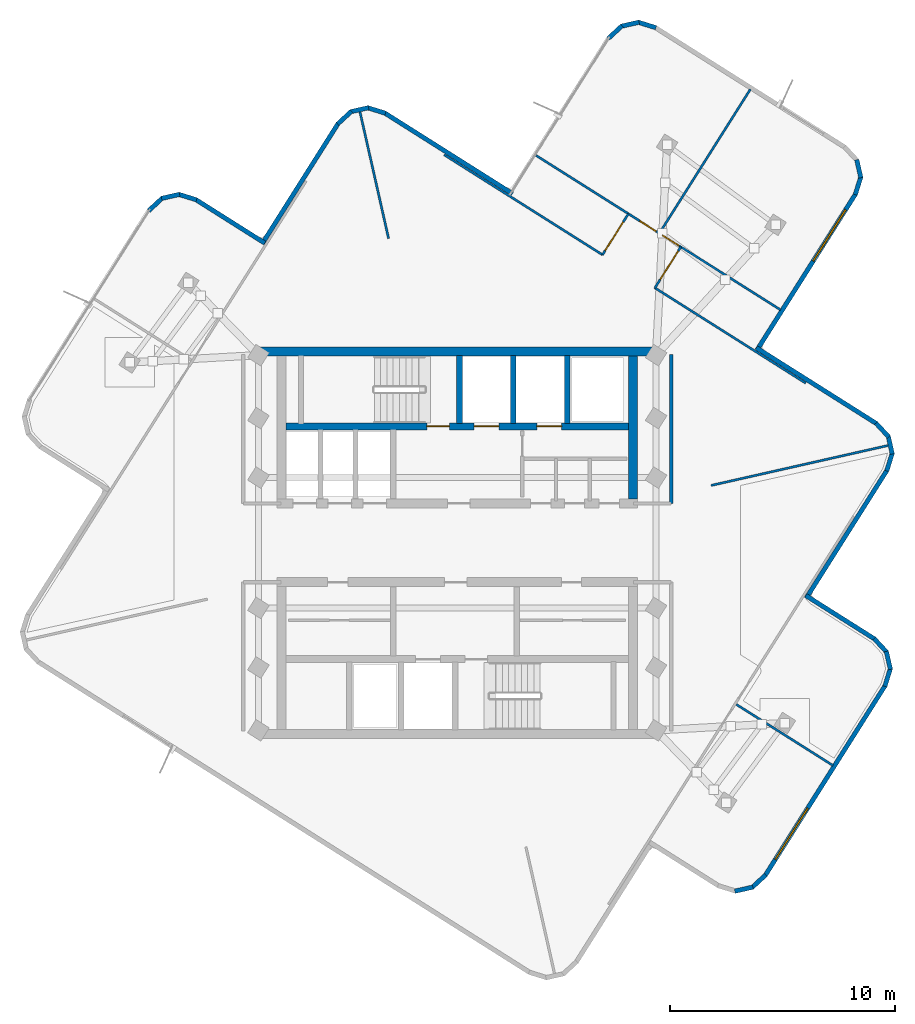
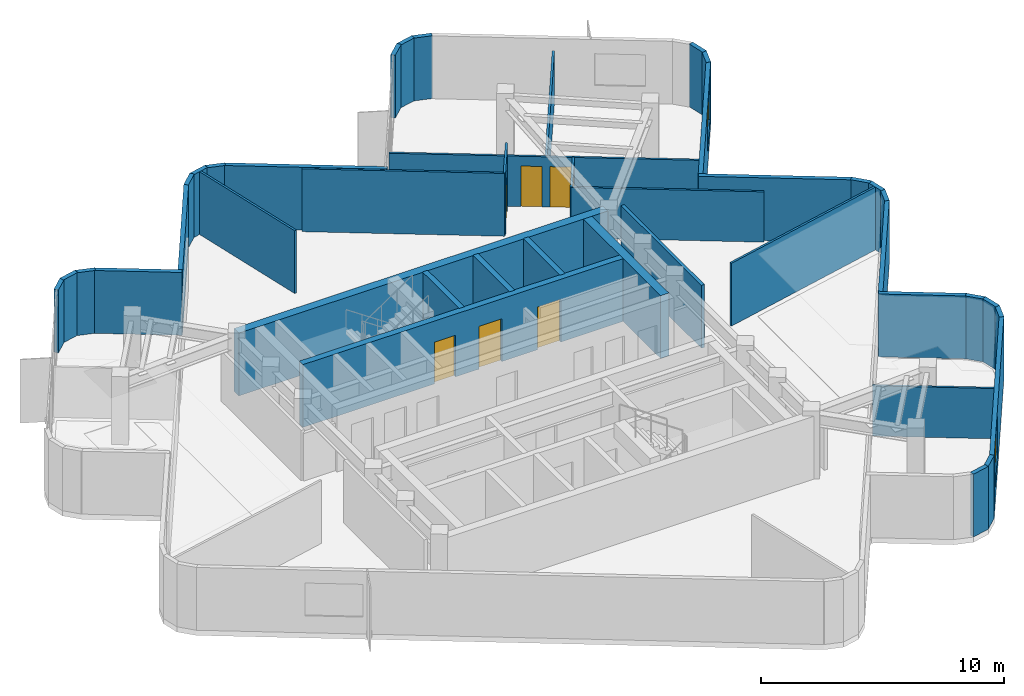
# One storey, part 7 of 10: 43 walls, 7 doors, 2 windows, 9 openings.
"""IFC4 building model written with IfcOpenShell, lengths in metres."""

from ifc_helpers import new_model, si_unit, direction, frame, frame_2d, origin, place, context, subcontext, project, spatial, rectangle, extrude, material, layer, layer_set, type_object, element, fill, save


model = new_model("IFC4")

# Units and contexts
model_context = context("Model", 3, precision=1e-05, world=origin(), true_north=direction((0.0, 1.0)))
body_context = subcontext(model_context, "Body", "Model", "MODEL_VIEW")
ifc_project = project(units=[si_unit("LENGTHUNIT", "METRE"), si_unit("AREAUNIT", "SQUARE_METRE"), si_unit("VOLUMEUNIT", "CUBIC_METRE"), si_unit("PLANEANGLEUNIT", "RADIAN"), si_unit("MASSUNIT", "GRAM", prefix="KILO")], contexts=[model_context])

# Site, building, storey
site_placement = place(None, origin())
site = spatial("IfcSite", under=ifc_project, at=site_placement, CompositionType="ELEMENT")
building_placement = place(site_placement, origin())
building = spatial("IfcBuilding", under=site, at=building_placement, Name="Solmarez Civic Tower", CompositionType="ELEMENT")
storey_placement = place(building_placement, frame((0.0, 0.0, 274.860107421875)))
storey = spatial("IfcBuildingStorey", under=building, at=storey_placement, Name="L74", CompositionType="ELEMENT", Elevation=274.860107421875)

# Walls
ifc_material_1 = material(Name="Concrete C50/60", Category="concrete")
ifc_layer_1 = layer(ifc_material_1, 0.39990234375)
ifc_layer_set_1 = layer_set([ifc_layer_1], Name="Concrete C50/60")
wall_type_1 = type_object("IfcWallType", Name="WALL-CORE-400", PredefinedType="SHEAR", material=ifc_layer_set_1)
wall_1_placement = place(storey_placement, frame((-8.780029296875, 8.510009765625, 0.0), z_axis=(0.0, 0.0, 1.0), x_axis=(1.0, 0.0, 0.0)))
element("IfcWall", 1, at=wall_1_placement, inside=storey, type_object=wall_type_1, Name="L74 Split-Core Structural Wall NCW-N-L74", PredefinedType="SHEAR", context=body_context, shape_type="SweptSolid", body=[
    extrude(rectangle(XDim=17.56005859375, YDim=0.39990234375, at=frame_2d((8.780029296875, 0.0))), origin(), (0.0, 0.0, 1.0), 3.159912109375),
])
wall_2_placement = place(storey_placement, frame((7.820068359375, 8.31005859375, 0.0), z_axis=(0.0, 0.0, 1.0), x_axis=(0.0, -1.0, 0.0)))
element("IfcWall", 2, at=wall_2_placement, inside=storey, type_object=wall_type_1, Name="L74 Split-Core Structural Wall NCW-E-L74", PredefinedType="SHEAR", context=body_context, shape_type="SweptSolid", body=[
    extrude(rectangle(XDim=6.360107421875, YDim=0.39990234375, at=frame_2d((3.18017578125, 0.0))), origin(), (0.0, 0.0, 1.0), 3.159912109375),
])
ifc_material_2 = material(Name="Precast concrete C40/50", Category="concrete")
ifc_layer_2 = layer(ifc_material_2, 0.199951171875)
ifc_layer_set_2 = layer_set([ifc_layer_2], Name="Precast concrete C40/50")
wall_type_2 = type_object("IfcWallType", Name="WALL-EXT-200", PredefinedType="SOLIDWALL", material=ifc_layer_set_2)
wall_3_placement = place(storey_placement, frame((-13.73388671875, 14.781982421875, 0.0), z_axis=(0.0, 0.0, 1.0), x_axis=(0.73396507435, 0.679187212508, 0.0)))
element("IfcWall", 3, at=wall_3_placement, inside=storey, type_object=wall_type_2, Name="L74 Exterior Precast Wall 18", PredefinedType="SOLIDWALL", context=body_context, shape_type="SweptSolid", body=[
    extrude(rectangle(XDim=0.837890625, YDim=0.199951171875, at=frame_2d((0.4189453125, 0.0))), origin(), (0.0, 0.0, 1.0), 3.159912109375),
])
wall_4_placement = place(storey_placement, frame((-13.160888671875, 15.327880859375, 0.0), z_axis=(0.0, 0.0, 1.0), x_axis=(0.975030953114, 0.222068999343, 0.0)))
element("IfcWall", 4, at=wall_4_placement, inside=storey, type_object=wall_type_2, Name="L74 Exterior Precast Wall 19", PredefinedType="SOLIDWALL", context=body_context, shape_type="SweptSolid", body=[
    extrude(rectangle(XDim=0.824462890625, YDim=0.199951171875, at=frame_2d((0.412109375, 0.0))), origin(), (0.0, 0.0, 1.0), 3.159912109375),
])
wall_5_placement = place(storey_placement, frame((-12.405029296875, 15.511962890625, 0.0), z_axis=(0.0, 0.0, 1.0), x_axis=(0.95514660916, -0.296133339917, 0.0)))
element("IfcWall", 5, at=wall_5_placement, inside=storey, type_object=wall_type_2, Name="L74 Exterior Precast Wall 20", PredefinedType="SOLIDWALL", context=body_context, shape_type="SweptSolid", body=[
    extrude(rectangle(XDim=0.837646484375, YDim=0.199951171875, at=frame_2d((0.4189453125, 0.0))), origin(), (0.0, 0.0, 1.0), 3.159912109375),
])
wall_6_placement = place(storey_placement, frame((-11.64990234375, 15.283935546875, 0.0), z_axis=(0.0, 0.0, 1.0), x_axis=(0.84553031048, -0.533927423962, 0.0)))
element("IfcWall", 6, at=wall_6_placement, inside=storey, type_object=wall_type_2, Name="L74 Exterior Precast Wall 21", PredefinedType="SOLIDWALL", context=body_context, shape_type="SweptSolid", body=[
    extrude(rectangle(XDim=3.642578125, YDim=0.199951171875, at=frame_2d((1.8212890625, 0.0))), origin(), (0.0, 0.0, 1.0), 3.159912109375),
])
wall_7_placement = place(storey_placement, frame((-8.680908203125, 13.31396484375, 0.0), z_axis=(0.0, 0.0, 1.0), x_axis=(0.533927810135, 0.845530066623, 0.0)))
element("IfcWall", 7, at=wall_7_placement, inside=storey, type_object=wall_type_2, Name="L74 Exterior Precast Wall 24", PredefinedType="SOLIDWALL", context=body_context, shape_type="SweptSolid", body=[
    extrude(rectangle(XDim=6.341552734375, YDim=0.199951171875, at=frame_2d((3.1708984375, 0.0))), origin(), (0.0, 0.0, 1.0), 3.159912109375),
])
wall_8_placement = place(storey_placement, frame((-5.325927734375, 18.637939453125, 0.0), z_axis=(0.0, 0.0, 1.0), x_axis=(0.734546260064, 0.678558613405, 0.0)))
element("IfcWall", 8, at=wall_8_placement, inside=storey, type_object=wall_type_2, Name="L74 Exterior Precast Wall 25", PredefinedType="SOLIDWALL", context=body_context, shape_type="SweptSolid", body=[
    extrude(rectangle(XDim=0.837158203125, YDim=0.199951171875, at=frame_2d((0.41845703125, 0.0))), origin(), (0.0, 0.0, 1.0), 3.159912109375),
])
wall_9_placement = place(storey_placement, frame((-4.7529296875, 19.18310546875, 0.0), z_axis=(0.0, 0.0, 1.0), x_axis=(0.975095027757, 0.22178748126, 0.0)))
element("IfcWall", 9, at=wall_9_placement, inside=storey, type_object=wall_type_2, Name="L74 Exterior Precast Wall 26", PredefinedType="SOLIDWALL", context=body_context, shape_type="SweptSolid", body=[
    extrude(rectangle(XDim=0.824462890625, YDim=0.199951171875, at=frame_2d((0.412109375, 0.0))), origin(), (0.0, 0.0, 1.0), 3.159912109375),
])
wall_10_placement = place(storey_placement, frame((-3.9970703125, 19.366943359375, 0.0), z_axis=(0.0, 0.0, 1.0), x_axis=(0.955248680357, -0.295803919306, 0.0)))
element("IfcWall", 10, at=wall_10_placement, inside=storey, type_object=wall_type_2, Name="L74 Exterior Precast Wall 27", PredefinedType="SOLIDWALL", context=body_context, shape_type="SweptSolid", body=[
    extrude(rectangle(XDim=0.838623046875, YDim=0.199951171875, at=frame_2d((0.41943359375, 0.0))), origin(), (0.0, 0.0, 1.0), 3.159912109375),
])
wall_11_placement = place(storey_placement, frame((-3.240966796875, 19.138916015625, 0.0), z_axis=(0.0, 0.0, 1.0), x_axis=(0.845431246435, -0.534084270085, 0.0)))
element("IfcWall", 11, at=wall_11_placement, inside=storey, type_object=wall_type_2, Name="L74 Exterior Precast Wall 28", PredefinedType="SOLIDWALL", context=body_context, shape_type="SweptSolid", body=[
    extrude(rectangle(XDim=6.741943359375, YDim=0.199951171875, at=frame_2d((3.37109375, 0.0))), origin(), (0.0, 0.0, 1.0), 3.159912109375),
])
wall_12_placement = place(storey_placement, frame((6.718017578125, 22.444091796875, 0.0), z_axis=(0.0, 0.0, 1.0), x_axis=(0.7346916161, 0.67840123027, 0.0)))
element("IfcWall", 12, at=wall_12_placement, inside=storey, type_object=wall_type_2, Name="L74 Exterior Precast Wall 32", PredefinedType="SOLIDWALL", context=body_context, shape_type="SweptSolid", body=[
    extrude(rectangle(XDim=0.837158203125, YDim=0.199951171875, at=frame_2d((0.41845703125, 0.0))), origin(), (0.0, 0.0, 1.0), 3.159912109375),
])
wall_13_placement = place(storey_placement, frame((7.291015625, 22.989013671875, 0.0), z_axis=(0.0, 0.0, 1.0), x_axis=(0.975030953114, 0.222068999343, 0.0)))
element("IfcWall", 13, at=wall_13_placement, inside=storey, type_object=wall_type_2, Name="L74 Exterior Precast Wall 33", PredefinedType="SOLIDWALL", context=body_context, shape_type="SweptSolid", body=[
    extrude(rectangle(XDim=0.824462890625, YDim=0.199951171875, at=frame_2d((0.412109375, 0.0))), origin(), (0.0, 0.0, 1.0), 3.159912109375),
])
wall_14_placement = place(storey_placement, frame((8.047119140625, 23.173095703125, 0.0), z_axis=(0.0, 0.0, 1.0), x_axis=(0.955223194498, -0.295886209027, 0.0)))
element("IfcWall", 14, at=wall_14_placement, inside=storey, type_object=wall_type_2, Name="L74 Exterior Precast Wall 34", PredefinedType="SOLIDWALL", context=body_context, shape_type="SweptSolid", body=[
    extrude(rectangle(XDim=0.83837890625, YDim=0.199951171875, at=frame_2d((0.419189453125, 0.0))), origin(), (0.0, 0.0, 1.0), 3.159912109375),
])
wall_15_placement = place(storey_placement, frame((17.785888671875, 17.050048828125, 0.0), z_axis=(0.0, 0.0, 1.0), x_axis=(0.21868713362, -0.975795028471, 0.0)))
element("IfcWall", 15, at=wall_15_placement, inside=storey, type_object=wall_type_2, Name="L74 Exterior Precast Wall 37", PredefinedType="SOLIDWALL", context=body_context, shape_type="SweptSolid", body=[
    extrude(rectangle(XDim=0.823974609375, YDim=0.199951171875, at=frame_2d((0.412109375, 0.0))), origin(), (0.0, 0.0, 1.0), 3.159912109375),
])
wall_16_placement = place(storey_placement, frame((17.968017578125, 16.2939453125, 0.0), z_axis=(0.0, 0.0, 1.0), x_axis=(-0.296133339917, -0.95514660916, 0.0)))
element("IfcWall", 16, at=wall_16_placement, inside=storey, type_object=wall_type_2, Name="L74 Exterior Precast Wall 38", PredefinedType="SOLIDWALL", context=body_context, shape_type="SweptSolid", body=[
    extrude(rectangle(XDim=0.837646484375, YDim=0.199951171875, at=frame_2d((0.4189453125, 0.0))), origin(), (0.0, 0.0, 1.0), 3.159912109375),
])

# Wall, opening, window
wall_17_placement = place(storey_placement, frame((17.739990234375, 15.5390625, 0.0), z_axis=(0.0, 0.0, 1.0), x_axis=(-0.533941726163, -0.845521278893, 0.0)))
wall_17 = element("IfcWall", 17, at=wall_17_placement, inside=storey, type_object=wall_type_2, Name="L74 Exterior Precast Wall 39", PredefinedType="SOLIDWALL", context=body_context, shape_type="SweptSolid", body=[
    extrude(rectangle(XDim=8.2421875, YDim=0.199951171875, at=frame_2d((4.12109375, 0.0))), origin(), (0.0, 0.0, 1.0), 3.159912109375),
])
opening_1_placement = place(wall_17_placement, frame((0.85009765625, 0.0, 0.85009765625)))
opening_1 = element("IfcOpeningElement", 18, at=opening_1_placement, cuts=wall_17, Name="Opening W-01", PredefinedType="OPENING", context=body_context, shape_type="SweptSolid", body=[
    extrude(rectangle(XDim=2.699951171875, YDim=2.10009765625, at=frame_2d((1.35009765625, 1.050048828125))), frame((0.0, 0.10986328125, 0.0), z_axis=(0.0, -1.0, 0.0), x_axis=(1.0, 0.0, 0.0)), (0.0, 0.0, 1.0), 0.219970703125),
])
ifc_material_3 = material(Name="Solar Control Bronze-Tinted Insulating Glass", Category="glass")
window_type = type_object("IfcWindowType", Name="WIN-2700X2100", PartitioningType="SINGLE_PANEL", PredefinedType="WINDOW", material=ifc_material_3)
window_1_placement = place(opening_1_placement, origin())
window_1 = element("IfcWindow", 19, at=window_1_placement, inside=storey, type_object=window_type, Name="L74 Exterior Facade Window 39", OverallHeight=2.10009765625, OverallWidth=2.699951171875, PartitioningType="SINGLE_PANEL", PredefinedType="WINDOW", context=body_context, shape_type="SweptSolid", body=[
    extrude(rectangle(XDim=2.699951171875, YDim=2.10009765625, at=frame_2d((1.35009765625, 1.050048828125))), frame((0.0, 0.030029296875, 0.0), z_axis=(0.0, -1.0, 0.0), x_axis=(1.0, 0.0, 0.0)), (0.0, 0.0, 1.0), 0.06005859375),
])
fill(opening_1, window_1)

# Walls
wall_18_placement = place(storey_placement, frame((13.31396484375, 8.680908203125, 0.0), z_axis=(0.0, 0.0, 1.0), x_axis=(0.845530066623, -0.533927810135, 0.0)))
element("IfcWall", 20, at=wall_18_placement, inside=storey, type_object=wall_type_2, Name="L74 Exterior Precast Wall 42", PredefinedType="SOLIDWALL", context=body_context, shape_type="SweptSolid", body=[
    extrude(rectangle(XDim=6.341552734375, YDim=0.199951171875, at=frame_2d((3.1708984375, 0.0))), origin(), (0.0, 0.0, 1.0), 3.159912109375),
])
wall_19_placement = place(storey_placement, frame((18.637939453125, 5.325927734375, 0.0), z_axis=(0.0, 0.0, 1.0), x_axis=(0.678558613405, -0.734546260064, 0.0)))
element("IfcWall", 21, at=wall_19_placement, inside=storey, type_object=wall_type_2, Name="L74 Exterior Precast Wall 43", PredefinedType="SOLIDWALL", context=body_context, shape_type="SweptSolid", body=[
    extrude(rectangle(XDim=0.837158203125, YDim=0.199951171875, at=frame_2d((0.41845703125, 0.0))), origin(), (0.0, 0.0, 1.0), 3.159912109375),
])
wall_20_placement = place(storey_placement, frame((19.18310546875, 4.7529296875, 0.0), z_axis=(0.0, 0.0, 1.0), x_axis=(0.22178748126, -0.975095027757, 0.0)))
element("IfcWall", 22, at=wall_20_placement, inside=storey, type_object=wall_type_2, Name="L74 Exterior Precast Wall 44", PredefinedType="SOLIDWALL", context=body_context, shape_type="SweptSolid", body=[
    extrude(rectangle(XDim=0.824462890625, YDim=0.199951171875, at=frame_2d((0.412109375, 0.0))), origin(), (0.0, 0.0, 1.0), 3.159912109375),
])
wall_21_placement = place(storey_placement, frame((19.366943359375, 3.9970703125, 0.0), z_axis=(0.0, 0.0, 1.0), x_axis=(-0.295803919306, -0.955248680357, 0.0)))
element("IfcWall", 23, at=wall_21_placement, inside=storey, type_object=wall_type_2, Name="L74 Exterior Precast Wall 45", PredefinedType="SOLIDWALL", context=body_context, shape_type="SweptSolid", body=[
    extrude(rectangle(XDim=0.838623046875, YDim=0.199951171875, at=frame_2d((0.41943359375, 0.0))), origin(), (0.0, 0.0, 1.0), 3.159912109375),
])
wall_22_placement = place(storey_placement, frame((19.138916015625, 3.240966796875, 0.0), z_axis=(0.0, 0.0, 1.0), x_axis=(-0.534084270085, -0.845431246435, 0.0)))
element("IfcWall", 24, at=wall_22_placement, inside=storey, type_object=wall_type_2, Name="L74 Exterior Precast Wall 46", PredefinedType="SOLIDWALL", context=body_context, shape_type="SweptSolid", body=[
    extrude(rectangle(XDim=6.741943359375, YDim=0.199951171875, at=frame_2d((3.37109375, 0.0))), origin(), (0.0, 0.0, 1.0), 3.159912109375),
])
wall_23_placement = place(storey_placement, frame((15.512939453125, -2.347900390625, 0.0), z_axis=(0.0, 0.0, 1.0), x_axis=(0.8454427056, -0.534066130313, 0.0)))
element("IfcWall", 25, at=wall_23_placement, inside=storey, type_object=wall_type_2, Name="L74 Exterior Precast Wall 49", PredefinedType="SOLIDWALL", context=body_context, shape_type="SweptSolid", body=[
    extrude(rectangle(XDim=3.64208984375, YDim=0.199951171875, at=frame_2d((1.821044921875, 0.0))), origin(), (0.0, 0.0, 1.0), 3.159912109375),
])
wall_24_placement = place(storey_placement, frame((18.553955078125, -4.261962890625, 0.0), z_axis=(0.0, 0.0, 1.0), x_axis=(0.679187212508, -0.73396507435, 0.0)))
element("IfcWall", 26, at=wall_24_placement, inside=storey, type_object=wall_type_2, Name="L74 Exterior Precast Wall 50", PredefinedType="SOLIDWALL", context=body_context, shape_type="SweptSolid", body=[
    extrude(rectangle(XDim=0.837890625, YDim=0.199951171875, at=frame_2d((0.4189453125, 0.0))), origin(), (0.0, 0.0, 1.0), 3.159912109375),
])
wall_25_placement = place(storey_placement, frame((19.10009765625, -4.8349609375, 0.0), z_axis=(0.0, 0.0, 1.0), x_axis=(0.222043922605, -0.975036664149, 0.0)))
element("IfcWall", 27, at=wall_25_placement, inside=storey, type_object=wall_type_2, Name="L74 Exterior Precast Wall 51", PredefinedType="SOLIDWALL", context=body_context, shape_type="SweptSolid", body=[
    extrude(rectangle(XDim=0.823486328125, YDim=0.199951171875, at=frame_2d((0.41162109375, 0.0))), origin(), (0.0, 0.0, 1.0), 3.159912109375),
])
wall_26_placement = place(storey_placement, frame((19.283935546875, -5.590087890625, 0.0), z_axis=(0.0, 0.0, 1.0), x_axis=(-0.295803919306, -0.955248680357, 0.0)))
element("IfcWall", 28, at=wall_26_placement, inside=storey, type_object=wall_type_2, Name="L74 Exterior Precast Wall 52", PredefinedType="SOLIDWALL", context=body_context, shape_type="SweptSolid", body=[
    extrude(rectangle(XDim=0.838623046875, YDim=0.199951171875, at=frame_2d((0.41943359375, 0.0))), origin(), (0.0, 0.0, 1.0), 3.159912109375),
])

# Wall, opening, window
wall_27_placement = place(storey_placement, frame((19.055908203125, -6.345947265625, 0.0), z_axis=(0.0, 0.0, 1.0), x_axis=(-0.534060804588, -0.845446069837, 0.0)))
wall_27 = element("IfcWall", 29, at=wall_27_placement, inside=storey, type_object=wall_type_2, Name="L74 Exterior Precast Wall 53", PredefinedType="SOLIDWALL", context=body_context, shape_type="SweptSolid", body=[
    extrude(rectangle(XDim=10.023193359375, YDim=0.199951171875, at=frame_2d((5.01171875, 0.0))), origin(), (0.0, 0.0, 1.0), 3.159912109375),
])
opening_2_placement = place(wall_27_placement, frame((6.468017578125, 0.0, 0.85009765625)))
opening_2 = element("IfcOpeningElement", 30, at=opening_2_placement, cuts=wall_27, Name="Opening W-01", PredefinedType="OPENING", context=body_context, shape_type="SweptSolid", body=[
    extrude(rectangle(XDim=2.699951171875, YDim=2.10009765625, at=frame_2d((1.35009765625, 1.050048828125))), frame((0.0, 0.10986328125, 0.0), z_axis=(0.0, -1.0, 0.0), x_axis=(1.0, 0.0, 0.0)), (0.0, 0.0, 1.0), 0.219970703125),
])
window_2_placement = place(opening_2_placement, origin())
window_2 = element("IfcWindow", 31, at=window_2_placement, inside=storey, type_object=window_type, Name="L74 Exterior Facade Window 53", OverallHeight=2.10009765625, OverallWidth=2.699951171875, PartitioningType="SINGLE_PANEL", PredefinedType="WINDOW", context=body_context, shape_type="SweptSolid", body=[
    extrude(rectangle(XDim=2.699951171875, YDim=2.10009765625, at=frame_2d((1.35009765625, 1.050048828125))), frame((0.0, 0.030029296875, 0.0), z_axis=(0.0, -1.0, 0.0), x_axis=(1.0, 0.0, 0.0)), (0.0, 0.0, 1.0), 0.06005859375),
])
fill(opening_2, window_2)

# Walls
wall_28_placement = place(storey_placement, frame((13.73388671875, -14.781982421875, 0.0), z_axis=(0.0, 0.0, 1.0), x_axis=(-0.73396507435, -0.679187212508, 0.0)))
element("IfcWall", 32, at=wall_28_placement, inside=storey, type_object=wall_type_2, Name="L74 Exterior Precast Wall 54", PredefinedType="SOLIDWALL", context=body_context, shape_type="SweptSolid", body=[
    extrude(rectangle(XDim=0.837890625, YDim=0.199951171875, at=frame_2d((0.4189453125, 0.0))), origin(), (0.0, 0.0, 1.0), 3.159912109375),
])
wall_29_placement = place(storey_placement, frame((13.160888671875, -15.327880859375, 0.0), z_axis=(0.0, 0.0, 1.0), x_axis=(-0.975030953114, -0.222068999343, 0.0)))
element("IfcWall", 33, at=wall_29_placement, inside=storey, type_object=wall_type_2, Name="L74 Exterior Precast Wall 55", PredefinedType="SOLIDWALL", context=body_context, shape_type="SweptSolid", body=[
    extrude(rectangle(XDim=0.824462890625, YDim=0.199951171875, at=frame_2d((0.412109375, 0.0))), origin(), (0.0, 0.0, 1.0), 3.159912109375),
])
ifc_material_4 = material(Name="Gypsum Board Acoustic Steel-Stud Partition", Category="steel")
ifc_layer_3 = layer(ifc_material_4, 0.14990234375)
ifc_layer_set_3 = layer_set([ifc_layer_3], Name="Gypsum Board Acoustic Steel-Stud Partition")
wall_type_3 = type_object("IfcWallType", Name="WALL-INT-FIRE-150", PredefinedType="PARTITIONING", material=ifc_layer_set_3)
wall_30_placement = place(storey_placement, frame((9.52001953125, 1.75, 0.0), z_axis=(0.0, 0.0, 1.0), x_axis=(0.0, 1.0, 0.0)))
element("IfcWall", 34, at=wall_30_placement, inside=storey, type_object=wall_type_3, Name="L74 Interior Partition CHW-L74-EN1", PredefinedType="PARTITIONING", context=body_context, shape_type="SweptSolid", body=[
    extrude(rectangle(XDim=6.6298828125, YDim=0.14990234375, at=frame_2d((3.31494140625, 0.0))), origin(), (0.0, 0.0, 1.0), 3.159912109375),
])
ifc_layer_4 = layer(ifc_material_4, 0.10009765625)
ifc_layer_set_4 = layer_set([ifc_layer_4], Name="Gypsum Board Acoustic Steel-Stud Partition")
wall_type_4 = type_object("IfcWallType", Name="WALL-INT-PART-100", PredefinedType="PARTITIONING", material=ifc_layer_set_4)
wall_31_placement = place(storey_placement, frame((-3.055908203125, 13.5400390625, 0.0), z_axis=(0.0, 0.0, 1.0), x_axis=(-0.22033949405, 0.975423245244, 0.0)))
element("IfcWall", 35, at=wall_31_placement, inside=storey, type_object=wall_type_4, Name="L74 Interior Partition PT-L74-QDIV-1", PredefinedType="PARTITIONING", context=body_context, shape_type="SweptSolid", body=[
    extrude(rectangle(XDim=5.813720703125, YDim=0.10009765625, at=frame_2d((2.90673828125, 0.0))), origin(), (0.0, 0.0, 1.0), 3.159912109375),
])
wall_32_placement = place(storey_placement, frame((11.300048828125, 2.551025390625, 0.0), z_axis=(0.0, 0.0, 1.0), x_axis=(0.975452684537, 0.220209128395, 0.0)))
element("IfcWall", 36, at=wall_32_placement, inside=storey, type_object=wall_type_4, Name="L74 Interior Partition PT-L74-QDIV-4", PredefinedType="PARTITIONING", context=body_context, shape_type="SweptSolid", body=[
    extrude(rectangle(XDim=8.10986328125, YDim=0.10009765625, at=frame_2d((4.054931640625, 0.0))), origin(), (0.0, 0.0, 1.0), 3.159912109375),
])
wall_33_placement = place(storey_placement, frame((6.472900390625, 12.81298828125, 0.0), z_axis=(0.0, 0.0, 1.0), x_axis=(-0.845447210208, 0.534058999317, 0.0)))
element("IfcWall", 37, at=wall_33_placement, inside=storey, type_object=wall_type_4, Name="L74 Interior Partition PT-L74-E-EFL", PredefinedType="PARTITIONING", context=body_context, shape_type="SweptSolid", body=[
    extrude(rectangle(XDim=8.34912109375, YDim=0.10009765625, at=frame_2d((4.174560546875, 0.0))), origin(), (0.0, 0.0, 1.0), 3.159912109375),
])
wall_34_placement = place(storey_placement, frame((15.511962890625, 7.10400390625, 0.0), z_axis=(0.0, 0.0, 1.0), x_axis=(-0.845450958208, 0.534053065963, 0.0)))
element("IfcWall", 38, at=wall_34_placement, inside=storey, type_object=wall_type_4, Name="L74 Interior Partition PT-L74-E-EFR", PredefinedType="PARTITIONING", context=body_context, shape_type="SweptSolid", body=[
    extrude(rectangle(XDim=7.95068359375, YDim=0.10009765625, at=frame_2d((3.975341796875, 0.0))), origin(), (0.0, 0.0, 1.0), 2.52978515625),
])

# Wall, opening, door
wall_35_placement = place(storey_placement, frame((7.618896484375, 14.64501953125, 0.0), z_axis=(0.0, 0.0, 1.0), x_axis=(-0.533984489243, -0.845494272747, 0.0)))
wall_35 = element("IfcWall", 39, at=wall_35_placement, inside=storey, type_object=wall_type_4, Name="L74 Interior Partition PT-L74-E-SL", PredefinedType="PARTITIONING", context=body_context, shape_type="SweptSolid", body=[
    extrude(rectangle(XDim=2.16064453125, YDim=0.10009765625, at=frame_2d((1.080322265625, 0.0))), origin(), (0.0, 0.0, 1.0), 3.159912109375),
])
opening_3_placement = place(wall_35_placement, frame((0.44091796875, 0.0, 0.0)))
opening_3 = element("IfcOpeningElement", 40, at=opening_3_placement, cuts=wall_35, Name="Opening D-16", PredefinedType="OPENING", context=body_context, shape_type="SweptSolid", body=[
    extrude(rectangle(XDim=1.5, YDim=2.1201171875, at=frame_2d((0.75, 1.06005859375))), frame((0.0, 0.06005859375, 0.0), z_axis=(0.0, -1.0, 0.0), x_axis=(1.0, 0.0, 0.0)), (0.0, 0.0, 1.0), 0.1201171875),
])
ifc_material_5 = material(Name="Diplomatic Protocol Reception Door", Category="wood")
door_type_1 = type_object("IfcDoorType", Name="DOOR-INT-1500", OperationType="NOTDEFINED", PredefinedType="DOOR", material=ifc_material_5)
door_1_placement = place(opening_3_placement, origin())
door_1 = element("IfcDoor", 41, at=door_1_placement, inside=storey, type_object=door_type_1, Name="L74 Executive Chamber Public Exhibition Library East Door", OperationType="SINGLE_SWING_LEFT", OverallHeight=2.1201171875, OverallWidth=1.5, PredefinedType="DOOR", context=body_context, shape_type="SweptSolid", body=[
    extrude(rectangle(XDim=1.5, YDim=2.1201171875, at=frame_2d((0.75, 1.06005859375))), frame((0.0, 0.02490234375, 0.0), z_axis=(0.0, -1.0, 0.0), x_axis=(1.0, 0.0, 0.0)), (0.0, 0.0, 1.0), 0.050048828125),
])
fill(opening_3, door_1)

wall_36_placement = place(storey_placement, frame((8.798095703125, 11.343994140625, 0.0), z_axis=(0.0, 0.0, 1.0), x_axis=(0.533984489243, 0.845494272747, 0.0)))
wall_36 = element("IfcWall", 42, at=wall_36_placement, inside=storey, type_object=wall_type_4, Name="L74 Interior Partition PT-L74-E-SR", PredefinedType="PARTITIONING", context=body_context, shape_type="SweptSolid", body=[
    extrude(rectangle(XDim=2.16064453125, YDim=0.10009765625, at=frame_2d((1.080322265625, 0.0))), origin(), (0.0, 0.0, 1.0), 2.52978515625),
])
opening_4_placement = place(wall_36_placement, frame((0.44091796875, 0.0, 0.0)))
opening_4 = element("IfcOpeningElement", 43, at=opening_4_placement, cuts=wall_36, Name="Opening D-16", PredefinedType="OPENING", context=body_context, shape_type="SweptSolid", body=[
    extrude(rectangle(XDim=1.5, YDim=2.1201171875, at=frame_2d((0.75, 1.06005859375))), frame((0.0, 0.06005859375, 0.0), z_axis=(0.0, -1.0, 0.0), x_axis=(1.0, 0.0, 0.0)), (0.0, 0.0, 1.0), 0.1201171875),
])
door_2_placement = place(opening_4_placement, origin())
door_2 = element("IfcDoor", 44, at=door_2_placement, inside=storey, type_object=door_type_1, Name="L74 Civic Lecture Classroom East Door", OperationType="SINGLE_SWING_RIGHT", OverallHeight=2.1201171875, OverallWidth=1.5, PredefinedType="DOOR", context=body_context, shape_type="SweptSolid", body=[
    extrude(rectangle(XDim=1.5, YDim=2.1201171875, at=frame_2d((0.75, 1.06005859375))), frame((0.0, 0.02490234375, 0.0), z_axis=(0.0, -1.0, 0.0), x_axis=(1.0, 0.0, 0.0)), (0.0, 0.0, 1.0), 0.050048828125),
])
fill(opening_4, door_2)

# Wall
wall_37_placement = place(storey_placement, frame((9.029052734375, 13.824951171875, 0.0), z_axis=(0.0, 0.0, 1.0), x_axis=(0.534078432884, 0.845434933941, 0.0)))
element("IfcWall", 45, at=wall_37_placement, inside=storey, type_object=wall_type_4, Name="L74 Interior Partition PT-L74-E-TM", PredefinedType="PARTITIONING", context=body_context, shape_type="SweptSolid", body=[
    extrude(rectangle(XDim=7.525146484375, YDim=0.10009765625, at=frame_2d((3.7626953125, 0.0))), origin(), (0.0, 0.0, 1.0), 2.52978515625),
])

# Wall, openings, doors
wall_38_placement = place(storey_placement, frame((3.513916015625, 17.237060546875, 0.0), z_axis=(0.0, 0.0, 1.0), x_axis=(0.845461855996, -0.534035813458, 0.0)))
wall_38 = element("IfcWall", 46, at=wall_38_placement, inside=storey, type_object=wall_type_4, Name="L74 Interior Partition PT-L74-E-END", PredefinedType="PARTITIONING", context=body_context, shape_type="SweptSolid", body=[
    extrude(rectangle(XDim=12.8701171875, YDim=0.10009765625, at=frame_2d((6.43505859375, 0.0))), origin(), (0.0, 0.0, 1.0), 2.52978515625),
])
opening_5_placement = place(wall_38_placement, frame((6.655029296875, 0.0, 0.0)))
opening_5 = element("IfcOpeningElement", 47, at=opening_5_placement, cuts=wall_38, Name="Opening D-14", PredefinedType="OPENING", context=body_context, shape_type="SweptSolid", body=[
    extrude(rectangle(XDim=0.860107421875, YDim=2.0400390625, at=frame_2d((0.43017578125, 1.02001953125))), frame((0.0, 0.06005859375, 0.0), z_axis=(0.0, -1.0, 0.0), x_axis=(1.0, 0.0, 0.0)), (0.0, 0.0, 1.0), 0.1201171875),
])
opening_6_placement = place(wall_38_placement, frame((5.4541015625, 0.0, 0.0)))
opening_6 = element("IfcOpeningElement", 48, at=opening_6_placement, cuts=wall_38, Name="Opening D-14", PredefinedType="OPENING", context=body_context, shape_type="SweptSolid", body=[
    extrude(rectangle(XDim=0.860107421875, YDim=2.0400390625, at=frame_2d((0.43017578125, 1.02001953125))), frame((0.0, 0.06005859375, 0.0), z_axis=(0.0, -1.0, 0.0), x_axis=(1.0, 0.0, 0.0)), (0.0, 0.0, 1.0), 0.1201171875),
])
ifc_material_6 = material(Name="Timber Storage and Pantry Door", Category="wood")
door_type_2 = type_object("IfcDoorType", Name="DOOR-INT-850", OperationType="NOTDEFINED", PredefinedType="DOOR", material=ifc_material_6)
door_3_placement = place(opening_5_placement, origin())
door_3 = element("IfcDoor", 49, at=door_3_placement, inside=storey, type_object=door_type_2, Name="L74 Catering Pantry Sixth East Door", OperationType="SINGLE_SWING_RIGHT", OverallHeight=2.0400390625, OverallWidth=0.860107421875, PredefinedType="DOOR", context=body_context, shape_type="SweptSolid", body=[
    extrude(rectangle(XDim=0.860107421875, YDim=2.0400390625, at=frame_2d((0.43017578125, 1.02001953125))), frame((0.0, 0.02490234375, 0.0), z_axis=(0.0, -1.0, 0.0), x_axis=(1.0, 0.0, 0.0)), (0.0, 0.0, 1.0), 0.050048828125),
])
fill(opening_5, door_3)
door_4_placement = place(opening_6_placement, origin())
door_4 = element("IfcDoor", 50, at=door_4_placement, inside=storey, type_object=door_type_2, Name="L74 Press Study Room Fifth East Door", OperationType="SINGLE_SWING_LEFT", OverallHeight=2.0400390625, OverallWidth=0.860107421875, PredefinedType="DOOR", context=body_context, shape_type="SweptSolid", body=[
    extrude(rectangle(XDim=0.860107421875, YDim=2.0400390625, at=frame_2d((0.43017578125, 1.02001953125))), frame((0.0, 0.02490234375, 0.0), z_axis=(0.0, -1.0, 0.0), x_axis=(1.0, 0.0, 0.0)), (0.0, 0.0, 1.0), 0.050048828125),
])
fill(opening_6, door_4)

# Wall
wall_39_placement = place(storey_placement, frame((12.426025390625, -7.198974609375, 0.0), z_axis=(0.0, 0.0, 1.0), x_axis=(0.845412458252, -0.53411400977, 0.0)))
element("IfcWall", 51, at=wall_39_placement, inside=storey, type_object=wall_type_4, Name="L74 Interior Partition PT-L74-S-ALM", PredefinedType="PARTITIONING", context=body_context, shape_type="SweptSolid", body=[
    extrude(rectangle(XDim=5.085205078125, YDim=0.10009765625, at=frame_2d((2.54248046875, 0.0))), origin(), (0.0, 0.0, 1.0), 2.52978515625),
])

# Wall, openings, doors
ifc_layer_5 = layer(ifc_material_1, 0.300048828125)
ifc_layer_set_5 = layer_set([ifc_layer_5], Name="Concrete C50/60")
wall_type_5 = type_object("IfcWallType", Name="WALL-STR-300", PredefinedType="SOLIDWALL", material=ifc_layer_set_5)
wall_40_placement = place(storey_placement, frame((7.6201171875, 5.179931640625, 0.0), z_axis=(0.0, 0.0, 1.0), x_axis=(-1.0, 0.0, 0.0)))
wall_40 = element("IfcWall", 52, at=wall_40_placement, inside=storey, type_object=wall_type_5, Name="L74 Split-Core Structural Wall NCW-M-L74", PredefinedType="SOLIDWALL", context=body_context, shape_type="SweptSolid", body=[
    extrude(rectangle(XDim=15.240234375, YDim=0.300048828125, at=frame_2d((7.6201171875, 0.0))), origin(), (0.0, 0.0, 1.0), 3.159912109375),
])
opening_7_placement = place(wall_40_placement, frame((5.77001953125, 0.0, 0.0)))
opening_7 = element("IfcOpeningElement", 53, at=opening_7_placement, cuts=wall_40, Name="Opening LD-02", PredefinedType="OPENING", context=body_context, shape_type="SweptSolid", body=[
    extrude(rectangle(XDim=1.10009765625, YDim=2.14990234375, at=frame_2d((0.550048828125, 1.074951171875))), frame((0.0, 0.159912109375, 0.0), z_axis=(0.0, -1.0, 0.0), x_axis=(1.0, 0.0, 0.0)), (0.0, 0.0, 1.0), 0.320068359375),
])
opening_8_placement = place(wall_40_placement, frame((2.969970703125, 0.0, 0.0)))
opening_8 = element("IfcOpeningElement", 54, at=opening_8_placement, cuts=wall_40, Name="Opening LD-03", PredefinedType="OPENING", context=body_context, shape_type="SweptSolid", body=[
    extrude(rectangle(XDim=1.10009765625, YDim=2.14990234375, at=frame_2d((0.550048828125, 1.074951171875))), frame((0.0, 0.159912109375, 0.0), z_axis=(0.0, -1.0, 0.0), x_axis=(1.0, 0.0, 0.0)), (0.0, 0.0, 1.0), 0.320068359375),
])
opening_9_placement = place(wall_40_placement, frame((7.969970703125, 0.0, 0.0)))
opening_9 = element("IfcOpeningElement", 55, at=opening_9_placement, cuts=wall_40, Name="Opening D-05", PredefinedType="OPENING", context=body_context, shape_type="SweptSolid", body=[
    extrude(rectangle(XDim=1.0, YDim=2.10009765625, at=frame_2d((0.5, 1.050048828125))), frame((0.0, 0.159912109375, 0.0), z_axis=(0.0, -1.0, 0.0), x_axis=(1.0, 0.0, 0.0)), (0.0, 0.0, 1.0), 0.320068359375),
])
ifc_material_7 = material(Name="Fire-Rated Stairwell Exit Door", Category="wood")
door_type_3 = type_object("IfcDoorType", Name="DOOR-FD90-1000", OperationType="NOTDEFINED", PredefinedType="DOOR", material=ifc_material_7)
door_5_placement = place(opening_9_placement, origin())
door_5 = element("IfcDoor", 56, at=door_5_placement, inside=storey, type_object=door_type_3, Name="L74 North Exit Stair Door ST-1", OperationType="SINGLE_SWING_LEFT", OverallHeight=2.10009765625, OverallWidth=1.0, PredefinedType="DOOR", context=body_context, shape_type="SweptSolid", body=[
    extrude(rectangle(XDim=1.0, YDim=2.10009765625, at=frame_2d((0.5, 1.050048828125))), frame((0.0, 0.02490234375, 0.0), z_axis=(0.0, -1.0, 0.0), x_axis=(1.0, 0.0, 0.0)), (0.0, 0.0, 1.0), 0.050048828125),
])
fill(opening_9, door_5)
ifc_material_8 = material(Name="Stainless Firefighting Lift Landing Sliding Door", Category="aluminium")
door_type_4 = type_object("IfcDoorType", Name="DOOR-LD-FF-1100", OperationType="DOUBLE_DOOR_SLIDING", PredefinedType="DOOR", material=ifc_material_8)
door_6_placement = place(opening_7_placement, origin())
door_6 = element("IfcDoor", 57, at=door_6_placement, inside=storey, type_object=door_type_4, Name="L74 Firefighting Lift Landing Door FFL-1", OperationType="DOUBLE_DOOR_SLIDING", OverallHeight=2.14990234375, OverallWidth=1.10009765625, PredefinedType="DOOR", context=body_context, shape_type="SweptSolid", body=[
    extrude(rectangle(XDim=1.10009765625, YDim=2.14990234375, at=frame_2d((0.550048828125, 1.074951171875))), frame((0.0, 0.02490234375, 0.0), z_axis=(0.0, -1.0, 0.0), x_axis=(1.0, 0.0, 0.0)), (0.0, 0.0, 1.0), 0.050048828125),
])
fill(opening_7, door_6)
ifc_material_9 = material(Name="Stainless Stretcher Lift Landing Sliding Door", Category="aluminium")
door_type_5 = type_object("IfcDoorType", Name="DOOR-LD-SV-1100", OperationType="DOUBLE_DOOR_SLIDING", PredefinedType="DOOR", material=ifc_material_9)
door_7_placement = place(opening_8_placement, origin())
door_7 = element("IfcDoor", 58, at=door_7_placement, inside=storey, type_object=door_type_5, Name="L74 Service Stretcher Lift Landing Door SVL-1", OperationType="DOUBLE_DOOR_SLIDING", OverallHeight=2.14990234375, OverallWidth=1.10009765625, PredefinedType="DOOR", context=body_context, shape_type="SweptSolid", body=[
    extrude(rectangle(XDim=1.10009765625, YDim=2.14990234375, at=frame_2d((0.550048828125, 1.074951171875))), frame((0.0, 0.02490234375, 0.0), z_axis=(0.0, -1.0, 0.0), x_axis=(1.0, 0.0, 0.0)), (0.0, 0.0, 1.0), 0.050048828125),
])
fill(opening_8, door_7)

# Walls
for number, where, z_axis, x_axis, name in (
    (59, (0.10009765625, 5.300048828125, 0.0), (0.0, 0.0, 1.0), (0.0, 1.0, 0.0), "L74 Split-Core Structural Wall SHW-N1-L74"),
    (60, (2.5, 5.300048828125, 0.0), (0.0, 0.0, 1.0), (0.0, 1.0, 0.0), "L74 Split-Core Structural Wall SHW-N2-L74"),
    (61, (4.89990234375, 5.300048828125, 0.0), (0.0, 0.0, 1.0), (0.0, 1.0, 0.0), "L74 Split-Core Structural Wall SHW-N3-L74"),
):
    element("IfcWall", number, at=place(storey_placement, frame(where, z_axis=z_axis, x_axis=x_axis)), inside=storey, type_object=wall_type_5, Name=name, PredefinedType="SOLIDWALL", context=body_context, shape_type="SweptSolid", body=[
        extrude(rectangle(XDim=3.0400390625, YDim=0.25, at=frame_2d((1.52001953125, 0.0))), origin(), (0.0, 0.0, 1.0), 3.159912109375),
    ])

save(model, "model.ifc")
